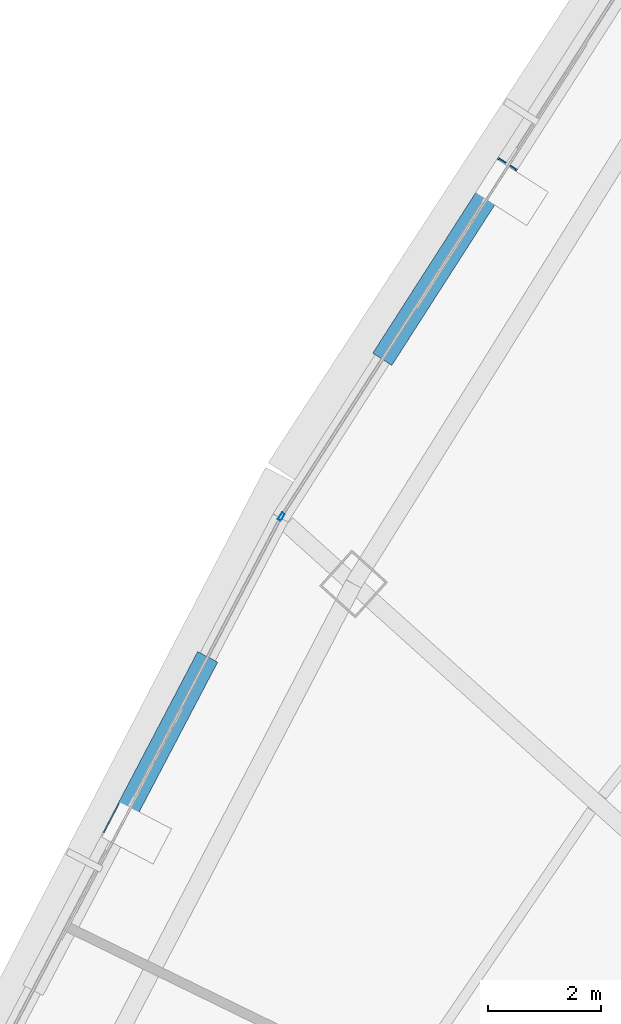
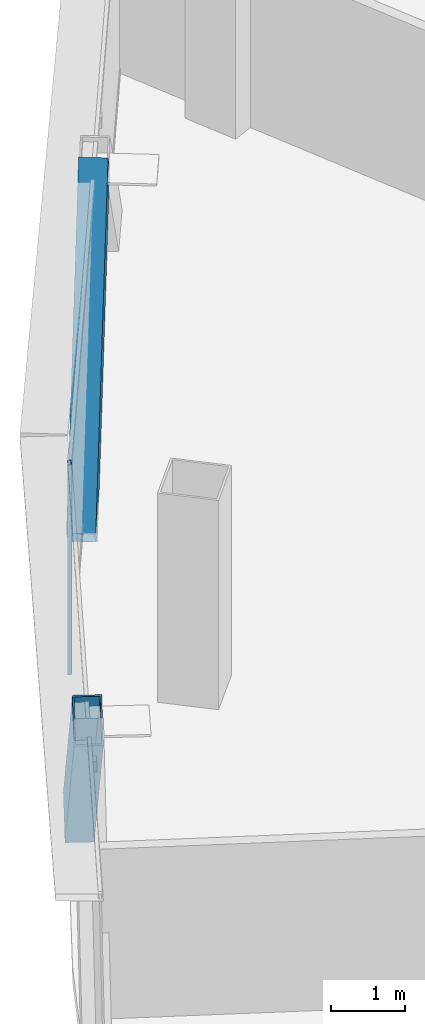
# One storey, part 17 of 37: 3 members, 1 element without a shape of its own.
"""IFC4 building model written with IfcOpenShell, lengths in metres."""

from ifc_helpers import new_model, si_unit, direction, frame, origin, origin_2d, place, context, subcontext, project, spatial, hollow_rectangle, extrude, source, transform, mapped, material, layer, layer_set, material_profile, profile_set, type_object, element, aggregate, save


model = new_model("IFC4")

# Units and contexts
model_context = context("Model", 3, precision=1e-05, world=origin(), true_north=direction((0.0, 1.0)))
body_context = subcontext(model_context, "Body", "Model", "MODEL_VIEW")
ifc_project = project(units=[si_unit("LENGTHUNIT", "METRE"), si_unit("AREAUNIT", "SQUARE_METRE"), si_unit("VOLUMEUNIT", "CUBIC_METRE"), si_unit("PLANEANGLEUNIT", "RADIAN"), si_unit("MASSUNIT", "GRAM", prefix="KILO"), si_unit("THERMODYNAMICTEMPERATUREUNIT", "KELVIN"), si_unit("POWERUNIT", "WATT")], contexts=[model_context])

# Site, building, storey
site_placement = place(None, origin())
site = spatial("IfcSite", under=ifc_project, at=site_placement, CompositionType="ELEMENT")
building_placement = place(site_placement, origin())
building = spatial("IfcBuilding", under=site, at=building_placement, Name="Yunzhuo Pagoda Commons", CompositionType="ELEMENT")
storey_placement = place(building_placement, frame((0.0, 0.0, 259.449951171875)))
storey = spatial("IfcBuildingStorey", under=building, at=storey_placement, Name="L65", CompositionType="ELEMENT", Elevation=259.449951171875)

# Members
ifc_material_1 = material(Name="Structural steel Q355B", Category="steel")
ifc_material_profile_1 = material_profile(ifc_material_1, hollow_rectangle(XDim=0.39990234375, YDim=0.719970703125, WallThickness=0.02392578125, at=origin_2d()), Name="Structural steel Q355B")
ifc_profile_set_1 = profile_set([ifc_material_profile_1], Name="Structural steel Q355B")
member_type_1 = type_object("IfcMemberType", Name="M-DL2 Brace BOX 720x400x24", PredefinedType="BRACE", material=ifc_profile_set_1)
shared_shape_1 = source(origin(), body_context, "Body", "SweptSolid", [
    extrude(hollow_rectangle(XDim=0.39990234375, YDim=0.719970703125, WallThickness=0.02392578125, at=origin_2d()), origin(), (0.0, 0.0, 1.0), 4.81201171875),
])
member_1_placement = place(storey_placement, frame((24.68701171875, 50.72802734375, -0.260009765625), z_axis=(-0.293259544764, -0.559577771488, 0.775159052751), x_axis=(0.885735630591, -0.464190039425, 0.0)))
element("IfcMember", 1, at=member_1_placement, inside=storey, type_object=member_type_1, Name="L65 facade diamond brace F3.2L", PredefinedType="BRACE", context=body_context, shape_type="MappedRepresentation", body=[
    mapped(shared_shape_1, transform((0.0, 0.0, 0.0), scale=1.0)),
])
shared_shape_2 = source(origin(), body_context, "Body", "SweptSolid", [
    extrude(hollow_rectangle(XDim=0.39990234375, YDim=0.719970703125, WallThickness=0.02392578125, at=origin_2d()), origin(), (0.0, 0.0, 1.0), 5.174560546875),
])
member_2_placement = place(storey_placement, frame((28.034423828125, 56.439697265625, -0.260009765625), z_axis=(0.374199004796, 0.583403189295, 0.72084382742), x_axis=(-0.841733190332, 0.539893726852, 0.0)))
element("IfcMember", 2, at=member_2_placement, inside=storey, type_object=member_type_1, Name="L65 facade diamond brace F3.1R", PredefinedType="BRACE", context=body_context, shape_type="MappedRepresentation", body=[
    mapped(shared_shape_2, transform((0.0, 0.0, 0.0), scale=1.0)),
])

# Curtain wall, member
ifc_material_2 = material(Name="Anodized aluminium 6063-T6", Category="aluminium")
ifc_layer = layer(ifc_material_2, 0.139892578125)
ifc_layer_set = layer_set([ifc_layer], Name="Anodized aluminium 6063-T6")
curtain_wall_type = type_object("IfcCurtainWallType", Name="CW-HI High-Zone Ribbon Curtain Wall", PredefinedType="NOTDEFINED", material=ifc_layer_set)
curtain_wall_placement = place(storey_placement, origin())
curtain_wall = element("IfcCurtainWall", 3, at=curtain_wall_placement, inside=storey, type_object=curtain_wall_type, Name="L65 curtain wall CW-L65-F3B2", PredefinedType="NOTDEFINED")
ifc_material_profile_2 = material_profile(ifc_material_2, hollow_rectangle(XDim=0.06005859375, YDim=0.139892578125, WallThickness=0.00341796875, at=origin_2d()), Name="Anodized aluminium 6063-T6")
ifc_profile_set_2 = profile_set([ifc_material_profile_2], Name="Anodized aluminium 6063-T6")
member_type_2 = type_object("IfcMemberType", Name="CW-HI-M Mullion RHS 140x60x3.5", PredefinedType="MULLION", material=ifc_profile_set_2)
shared_shape_3 = source(origin(), body_context, "Body", "SweptSolid", [
    extrude(hollow_rectangle(XDim=0.06005859375, YDim=0.139892578125, WallThickness=0.00341796875, at=origin_2d()), origin(), (0.0, 0.0, 1.0), 3.469970703125),
])
member_3_placement = place(storey_placement, frame((26.1142578125, 53.44580078125, 0.0), z_axis=(0.0, 0.0, 1.0), x_axis=(0.841750083847, -0.539867387738, 0.0)))
member_3 = element("IfcMember", 4, at=member_3_placement, type_object=member_type_2, Name="CW mullion 2", PredefinedType="MULLION", context=body_context, shape_type="MappedRepresentation", body=[
    mapped(shared_shape_3, transform((0.0, 0.0, 0.0), scale=1.0)),
])
aggregate(curtain_wall, [member_3])

save(model, "model.ifc")
